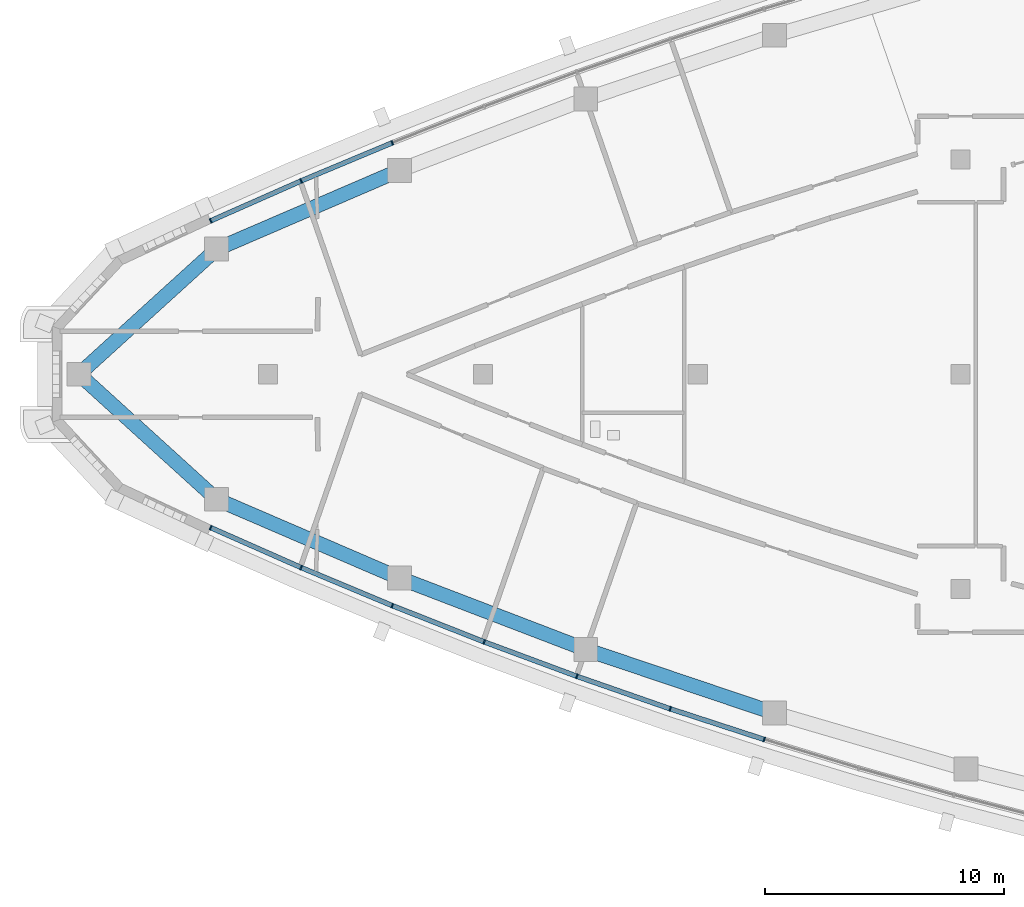
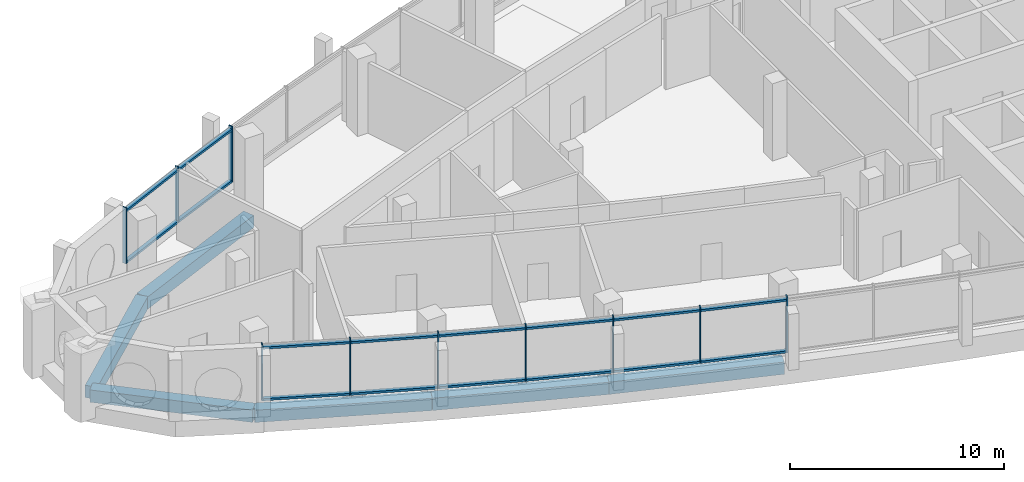
# One storey, part 2 of 15: 26 members, 6 beams, 5 elements without a shape of their own.
"""IFC4 building model written with IfcOpenShell, lengths in metres."""

from ifc_helpers import new_model, si_unit, direction, frame, origin, origin_2d, place, context, subcontext, project, spatial, rectangle, extrude, material, layer, layer_set, material_profile, profile_set, type_object, element, aggregate, save


model = new_model("IFC4")

# Units and contexts
model_context = context("Model", 3, precision=1e-05, world=origin(), true_north=direction((0.0, 1.0)))
body_context = subcontext(model_context, "Body", "Model", "MODEL_VIEW")
ifc_project = project(units=[si_unit("LENGTHUNIT", "METRE"), si_unit("AREAUNIT", "SQUARE_METRE"), si_unit("VOLUMEUNIT", "CUBIC_METRE"), si_unit("PLANEANGLEUNIT", "RADIAN"), si_unit("MASSUNIT", "GRAM", prefix="KILO")], contexts=[model_context])

# Site, building, storey
site_placement = place(None, origin())
site = spatial("IfcSite", under=ifc_project, at=site_placement, CompositionType="ELEMENT")
building_placement = place(site_placement, origin())
building = spatial("IfcBuilding", under=site, at=building_placement, Name="Ostrand Prow Hotel Tower", CompositionType="ELEMENT")
storey_placement = place(building_placement, frame((0.0, 0.0, 318.60009765625)))
storey = spatial("IfcBuildingStorey", under=building, at=storey_placement, Name="C3", CompositionType="ELEMENT", Elevation=318.60009765625)

# Beams
ifc_material_1 = material(Name="Concrete C40/50", Category="concrete")
ifc_material_profile_1 = material_profile(ifc_material_1, rectangle(XDim=0.60009765625, YDim=0.699951171875, at=origin_2d()), Name="RC 600x700")
ifc_profile_set_1 = profile_set([ifc_material_profile_1], Name="Concrete C40/50")
beam_type = type_object("IfcBeamType", Name="Edge beam 600x700 C40/50", PredefinedType="SPANDREL", material=ifc_profile_set_1)
beam_1_placement = place(storey_placement, frame((8.082763671875, 0.0, -0.650146484375), z_axis=(0.740124460758, -0.672469912032, 0.0), x_axis=(0.672469912032, 0.740124460758, 0.0)))
element("IfcBeam", 1, at=beam_1_placement, inside=storey, type_object=beam_type, Name="Edge beam P-S1", PredefinedType="SPANDREL", context=body_context, shape_type="SweptSolid", body=[
    extrude(rectangle(XDim=0.60009765625, YDim=0.699951171875, at=origin_2d()), origin(), (0.0, 0.0, 1.0), 7.787353515625),
])
for number, where, z_axis, x_axis, name in (
    (2, (13.846435546875, -5.23681640625, -0.650146484375), (0.918403788687, -0.39564438695, 0.0), (0.39564438695, 0.918403788687, 0.0), "Edge beam S1-S2"),
    (3, (21.51416015625, -8.5400390625, -0.650146484375), (0.933761753797, -0.357895218111, 0.0), (0.357895218111, 0.933761753797, 0.0), "Edge beam S2-S3"),
    (4, (29.31005859375, -11.528076171875, -0.650146484375), (0.947575089419, -0.319533174981, 0.0), (0.319533174981, 0.947575089419, 0.0), "Edge beam S3-S4"),
    (5, (21.51416015625, 8.5400390625, -0.650146484375), (-0.918403788687, -0.39564438695, 0.0), (0.39564438695, -0.918403788687, 0.0), "Edge beam N5-N6"),
):
    element("IfcBeam", number, at=place(storey_placement, frame(where, z_axis=z_axis, x_axis=x_axis)), inside=storey, type_object=beam_type, Name=name, PredefinedType="SPANDREL", context=body_context, shape_type="SweptSolid", body=[
        extrude(rectangle(XDim=0.60009765625, YDim=0.699951171875, at=origin_2d()), origin(), (0.0, 0.0, 1.0), 8.348876953125),
    ])
beam_2_placement = place(storey_placement, frame((13.846435546875, 5.23681640625, -0.650146484375), z_axis=(-0.740124460758, -0.672469912032, 0.0), x_axis=(0.672469912032, -0.740124460758, 0.0)))
element("IfcBeam", 6, at=beam_2_placement, inside=storey, type_object=beam_type, Name="Edge beam N6-P", PredefinedType="SPANDREL", context=body_context, shape_type="SweptSolid", body=[
    extrude(rectangle(XDim=0.60009765625, YDim=0.699951171875, at=origin_2d()), origin(), (0.0, 0.0, 1.0), 7.787353515625),
])

# Curtain wall, members
ifc_material_2 = material(Name="Insulated glass in bronze anodised frame", Category="glass")
ifc_layer = layer(ifc_material_2, 0.199951171875)
ifc_layer_set = layer_set([ifc_layer], Name="Insulated glass in bronze anodised frame")
curtain_wall_type = type_object("IfcCurtainWallType", Name="Sky lobby full-height curtain wall", PredefinedType="NOTDEFINED", material=ifc_layer_set)
curtain_wall_1_placement = place(storey_placement, origin())
curtain_wall_1 = element("IfcCurtainWall", 7, at=curtain_wall_1_placement, inside=storey, type_object=curtain_wall_type, Name="CW3 run CWS1", PredefinedType="NOTDEFINED")
ifc_material_3 = material(Name="Bronze anodised aluminium", Category="aluminium")
ifc_material_profile_2 = material_profile(ifc_material_3, rectangle(XDim=0.199951171875, YDim=0.06005859375, at=origin_2d()), Name="Mullion 60x200 bronze anodised aluminium")
ifc_profile_set_2 = profile_set([ifc_material_profile_2], Name="Bronze anodised aluminium")
member_type_1 = type_object("IfcMemberType", Name="Mullion 60x200 bronze anodised aluminium", PredefinedType="MULLION", material=ifc_profile_set_2)
member_1_placement = place(storey_placement, frame((13.60009765625, -6.423583984375, 0.89990234375), z_axis=(0.0, 0.0, 1.0), x_axis=(0.403939694592, 0.914785615941, 0.0)))
member_1 = element("IfcMember", 8, at=member_1_placement, type_object=member_type_1, Name="CW3 mullion 1", PredefinedType="MULLION", context=body_context, shape_type="SweptSolid", body=[
    extrude(rectangle(XDim=0.199951171875, YDim=0.06005859375, at=origin_2d()), origin(), (0.0, 0.0, 1.0), 3.199951171875),
])
member_2_placement = place(storey_placement, frame((17.386962890625, -8.095947265625, 0.89990234375), z_axis=(0.0, 0.0, 1.0), x_axis=(0.385471263659, 0.922719840955, 0.0)))
member_2 = element("IfcMember", 9, at=member_2_placement, type_object=member_type_1, Name="CW3 mullion 2", PredefinedType="MULLION", context=body_context, shape_type="SweptSolid", body=[
    extrude(rectangle(XDim=0.199951171875, YDim=0.06005859375, at=origin_2d()), origin(), (0.0, 0.0, 1.0), 3.199951171875),
])
member_3_placement = place(storey_placement, frame((21.206787109375, -9.691650390625, 0.89990234375), z_axis=(0.0, 0.0, 1.0), x_axis=(0.385471263659, 0.922719840955, 0.0)))
member_3 = element("IfcMember", 10, at=member_3_placement, type_object=member_type_1, Name="CW3 mullion 3", PredefinedType="MULLION", context=body_context, shape_type="SweptSolid", body=[
    extrude(rectangle(XDim=0.199951171875, YDim=0.06005859375, at=origin_2d()), origin(), (0.0, 0.0, 1.0), 3.199951171875),
])

curtain_wall_2_placement = place(storey_placement, origin())
curtain_wall_2 = element("IfcCurtainWall", 11, at=curtain_wall_2_placement, inside=storey, type_object=curtain_wall_type, Name="CW3 run CWS2", PredefinedType="NOTDEFINED")
member_4_placement = place(storey_placement, frame((25.05810546875, -11.210205078125, 0.89990234375), z_axis=(0.0, 0.0, 1.0), x_axis=(0.348071422738, 0.937468017947, 0.0)))
member_4 = element("IfcMember", 12, at=member_4_placement, type_object=member_type_1, Name="CW3 mullion 2", PredefinedType="MULLION", context=body_context, shape_type="SweptSolid", body=[
    extrude(rectangle(XDim=0.199951171875, YDim=0.06005859375, at=origin_2d()), origin(), (0.0, 0.0, 1.0), 3.199951171875),
])
member_5_placement = place(storey_placement, frame((28.93896484375, -12.6513671875, 0.89990234375), z_axis=(0.0, 0.0, 1.0), x_axis=(0.348071422738, 0.937468017947, 0.0)))
member_5 = element("IfcMember", 13, at=member_5_placement, type_object=member_type_1, Name="CW3 mullion 3", PredefinedType="MULLION", context=body_context, shape_type="SweptSolid", body=[
    extrude(rectangle(XDim=0.199951171875, YDim=0.06005859375, at=origin_2d()), origin(), (0.0, 0.0, 1.0), 3.199951171875),
])

curtain_wall_3_placement = place(storey_placement, origin())
curtain_wall_3 = element("IfcCurtainWall", 14, at=curtain_wall_3_placement, inside=storey, type_object=curtain_wall_type, Name="CW3 run CWS3", PredefinedType="NOTDEFINED")
member_6_placement = place(storey_placement, frame((32.84814453125, -14.013916015625, 0.89990234375), z_axis=(0.0, 0.0, 1.0), x_axis=(0.310110668289, 0.950700464612, 0.0)))
member_6 = element("IfcMember", 15, at=member_6_placement, type_object=member_type_1, Name="CW3 mullion 2", PredefinedType="MULLION", context=body_context, shape_type="SweptSolid", body=[
    extrude(rectangle(XDim=0.199951171875, YDim=0.06005859375, at=origin_2d()), origin(), (0.0, 0.0, 1.0), 3.199951171875),
])
member_7_placement = place(storey_placement, frame((36.78369140625, -15.297607421875, 0.89990234375), z_axis=(0.0, 0.0, 1.0), x_axis=(0.310110668289, 0.950700464612, 0.0)))
member_7 = element("IfcMember", 16, at=member_7_placement, type_object=member_type_1, Name="CW3 mullion 3", PredefinedType="MULLION", context=body_context, shape_type="SweptSolid", body=[
    extrude(rectangle(XDim=0.199951171875, YDim=0.06005859375, at=origin_2d()), origin(), (0.0, 0.0, 1.0), 3.199951171875),
])

# Curtain wall, member
curtain_wall_4_placement = place(storey_placement, origin())
curtain_wall_4 = element("IfcCurtainWall", 17, at=curtain_wall_4_placement, inside=storey, type_object=curtain_wall_type, Name="CW3 run CWN4", PredefinedType="NOTDEFINED")
member_8_placement = place(storey_placement, frame((21.206787109375, 9.691650390625, 0.89990234375), z_axis=(0.0, 0.0, 1.0), x_axis=(0.366845465248, -0.930281895249, 0.0)))
member_8 = element("IfcMember", 18, at=member_8_placement, type_object=member_type_1, Name="CW3 mullion 3", PredefinedType="MULLION", context=body_context, shape_type="SweptSolid", body=[
    extrude(rectangle(XDim=0.199951171875, YDim=0.06005859375, at=origin_2d()), origin(), (0.0, 0.0, 1.0), 3.199951171875),
])
aggregate(curtain_wall_4, [member_8])

# Curtain wall, members
curtain_wall_5_placement = place(storey_placement, origin())
curtain_wall_5 = element("IfcCurtainWall", 19, at=curtain_wall_5_placement, inside=storey, type_object=curtain_wall_type, Name="CW3 run CWN5", PredefinedType="NOTDEFINED")
member_9_placement = place(storey_placement, frame((17.386962890625, 8.095947265625, 0.89990234375), z_axis=(0.0, 0.0, 1.0), x_axis=(0.403939694592, -0.914785615941, 0.0)))
member_9 = element("IfcMember", 20, at=member_9_placement, type_object=member_type_1, Name="CW3 mullion 2", PredefinedType="MULLION", context=body_context, shape_type="SweptSolid", body=[
    extrude(rectangle(XDim=0.199951171875, YDim=0.06005859375, at=origin_2d()), origin(), (0.0, 0.0, 1.0), 3.199951171875),
])
member_10_placement = place(storey_placement, frame((13.60009765625, 6.423583984375, 0.89990234375), z_axis=(0.0, 0.0, 1.0), x_axis=(0.403939694592, -0.914785615941, 0.0)))
member_10 = element("IfcMember", 21, at=member_10_placement, type_object=member_type_1, Name="CW3 mullion 3", PredefinedType="MULLION", context=body_context, shape_type="SweptSolid", body=[
    extrude(rectangle(XDim=0.199951171875, YDim=0.06005859375, at=origin_2d()), origin(), (0.0, 0.0, 1.0), 3.199951171875),
])

# Member
ifc_material_4 = material(Name="Bronze anodised aluminium", Category="aluminium")
ifc_material_profile_3 = material_profile(ifc_material_4, rectangle(XDim=0.199951171875, YDim=0.1201171875, at=origin_2d()), Name="Transom 120x200 bronze anodised aluminium")
ifc_profile_set_3 = profile_set([ifc_material_profile_3], Name="Bronze anodised aluminium")
member_type_2 = type_object("IfcMemberType", Name="Transom 120x200 bronze anodised aluminium", PredefinedType="USERDEFINED", material=ifc_profile_set_3)
member_11_placement = place(storey_placement, frame((13.62744140625, -6.435791015625, 0.9599609375), z_axis=(0.914791011182, -0.403927475991, 0.0), x_axis=(0.403927475991, 0.914791011182, 0.0)))
member_11 = element("IfcMember", 22, at=member_11_placement, type_object=member_type_2, Name="CW3 transom 1.1", ObjectType="TRANSOM", PredefinedType="USERDEFINED", context=body_context, shape_type="SweptSolid", body=[
    extrude(rectangle(XDim=0.199951171875, YDim=0.1201171875, at=origin_2d()), origin(), (0.0, 0.0, 1.0), 4.079833984375),
])

member_12_placement = place(storey_placement, frame((13.62744140625, -6.435791015625, 3.89990234375), z_axis=(0.914791011182, -0.403927475991, 0.0), x_axis=(0.403927475991, 0.914791011182, 0.0)))
member_12 = element("IfcMember", 23, at=member_12_placement, type_object=member_type_2, Name="CW3 transom 1.2", ObjectType="TRANSOM", PredefinedType="USERDEFINED", context=body_context, shape_type="SweptSolid", body=[
    extrude(rectangle(XDim=0.199951171875, YDim=0.1201171875, at=origin_2d()), origin(), (0.0, 0.0, 1.0), 4.079833984375),
])

member_13_placement = place(storey_placement, frame((17.414794921875, -8.107421875, 0.9599609375), z_axis=(0.922706465875, -0.385503278628, 0.0), x_axis=(0.385503278628, 0.922706465875, 0.0)))
member_13 = element("IfcMember", 24, at=member_13_placement, type_object=member_type_2, Name="CW3 transom 2.1", ObjectType="TRANSOM", PredefinedType="USERDEFINED", context=body_context, shape_type="SweptSolid", body=[
    extrude(rectangle(XDim=0.199951171875, YDim=0.1201171875, at=origin_2d()), origin(), (0.0, 0.0, 1.0), 4.079833984375),
])

member_14_placement = place(storey_placement, frame((17.414794921875, -8.107421875, 3.89990234375), z_axis=(0.922706465875, -0.385503278628, 0.0), x_axis=(0.385503278628, 0.922706465875, 0.0)))
member_14 = element("IfcMember", 25, at=member_14_placement, type_object=member_type_2, Name="CW3 transom 2.2", ObjectType="TRANSOM", PredefinedType="USERDEFINED", context=body_context, shape_type="SweptSolid", body=[
    extrude(rectangle(XDim=0.199951171875, YDim=0.1201171875, at=origin_2d()), origin(), (0.0, 0.0, 1.0), 4.079833984375),
])

aggregate(curtain_wall_1, [member_1, member_2, member_3, member_11, member_12, member_13, member_14])

member_15_placement = place(storey_placement, frame((21.23486328125, -9.70263671875, 0.9599609375), z_axis=(0.930289613186, -0.366825892759, 0.0), x_axis=(0.366825892759, 0.930289613186, 0.0)))
member_15 = element("IfcMember", 26, at=member_15_placement, type_object=member_type_2, Name="CW3 transom 1.1", ObjectType="TRANSOM", PredefinedType="USERDEFINED", context=body_context, shape_type="SweptSolid", body=[
    extrude(rectangle(XDim=0.199951171875, YDim=0.1201171875, at=origin_2d()), origin(), (0.0, 0.0, 1.0), 4.079833984375),
])

member_16_placement = place(storey_placement, frame((21.23486328125, -9.70263671875, 3.89990234375), z_axis=(0.930289613186, -0.366825892759, 0.0), x_axis=(0.366825892759, 0.930289613186, 0.0)))
member_16 = element("IfcMember", 27, at=member_16_placement, type_object=member_type_2, Name="CW3 transom 1.2", ObjectType="TRANSOM", PredefinedType="USERDEFINED", context=body_context, shape_type="SweptSolid", body=[
    extrude(rectangle(XDim=0.199951171875, YDim=0.1201171875, at=origin_2d()), origin(), (0.0, 0.0, 1.0), 4.079833984375),
])

member_17_placement = place(storey_placement, frame((25.086181640625, -11.220703125, 0.9599609375), z_axis=(0.937460424566, -0.348091873465, 0.0), x_axis=(0.348091873465, 0.937460424566, 0.0)))
member_17 = element("IfcMember", 28, at=member_17_placement, type_object=member_type_2, Name="CW3 transom 2.1", ObjectType="TRANSOM", PredefinedType="USERDEFINED", context=body_context, shape_type="SweptSolid", body=[
    extrude(rectangle(XDim=0.199951171875, YDim=0.1201171875, at=origin_2d()), origin(), (0.0, 0.0, 1.0), 4.079833984375),
])

member_18_placement = place(storey_placement, frame((25.086181640625, -11.220703125, 3.89990234375), z_axis=(0.937460424566, -0.348091873465, 0.0), x_axis=(0.348091873465, 0.937460424566, 0.0)))
member_18 = element("IfcMember", 29, at=member_18_placement, type_object=member_type_2, Name="CW3 transom 2.2", ObjectType="TRANSOM", PredefinedType="USERDEFINED", context=body_context, shape_type="SweptSolid", body=[
    extrude(rectangle(XDim=0.199951171875, YDim=0.1201171875, at=origin_2d()), origin(), (0.0, 0.0, 1.0), 4.079833984375),
])

aggregate(curtain_wall_2, [member_4, member_5, member_15, member_16, member_17, member_18])

member_19_placement = place(storey_placement, frame((28.96728515625, -12.6611328125, 0.9599609375), z_axis=(0.944268108385, -0.329177367822, 0.0), x_axis=(0.329177367822, 0.944268108385, 0.0)))
member_19 = element("IfcMember", 30, at=member_19_placement, type_object=member_type_2, Name="CW3 transom 1.1", ObjectType="TRANSOM", PredefinedType="USERDEFINED", context=body_context, shape_type="SweptSolid", body=[
    extrude(rectangle(XDim=0.199951171875, YDim=0.1201171875, at=origin_2d()), origin(), (0.0, 0.0, 1.0), 4.079833984375),
])

member_20_placement = place(storey_placement, frame((28.96728515625, -12.6611328125, 3.89990234375), z_axis=(0.944268108385, -0.329177367822, 0.0), x_axis=(0.329177367822, 0.944268108385, 0.0)))
member_20 = element("IfcMember", 31, at=member_20_placement, type_object=member_type_2, Name="CW3 transom 1.2", ObjectType="TRANSOM", PredefinedType="USERDEFINED", context=body_context, shape_type="SweptSolid", body=[
    extrude(rectangle(XDim=0.199951171875, YDim=0.1201171875, at=origin_2d()), origin(), (0.0, 0.0, 1.0), 4.079833984375),
])

member_21_placement = place(storey_placement, frame((32.876708984375, -14.023193359375, 0.9599609375), z_axis=(0.950704145978, -0.310099382165, 0.0), x_axis=(0.310099382165, 0.950704145978, 0.0)))
member_21 = element("IfcMember", 32, at=member_21_placement, type_object=member_type_2, Name="CW3 transom 2.1", ObjectType="TRANSOM", PredefinedType="USERDEFINED", context=body_context, shape_type="SweptSolid", body=[
    extrude(rectangle(XDim=0.199951171875, YDim=0.1201171875, at=origin_2d()), origin(), (0.0, 0.0, 1.0), 4.079833984375),
])

member_22_placement = place(storey_placement, frame((32.876708984375, -14.023193359375, 3.89990234375), z_axis=(0.950704145978, -0.310099382165, 0.0), x_axis=(0.310099382165, 0.950704145978, 0.0)))
member_22 = element("IfcMember", 33, at=member_22_placement, type_object=member_type_2, Name="CW3 transom 2.2", ObjectType="TRANSOM", PredefinedType="USERDEFINED", context=body_context, shape_type="SweptSolid", body=[
    extrude(rectangle(XDim=0.199951171875, YDim=0.1201171875, at=origin_2d()), origin(), (0.0, 0.0, 1.0), 4.079833984375),
])

aggregate(curtain_wall_3, [member_6, member_7, member_19, member_20, member_21, member_22])

member_23_placement = place(storey_placement, frame((21.17919921875, 9.68017578125, 0.9599609375), z_axis=(-0.922706465875, -0.385503278628, 0.0), x_axis=(0.385503278628, -0.922706465875, 0.0)))
member_23 = element("IfcMember", 34, at=member_23_placement, type_object=member_type_2, Name="CW3 transom 1.1", ObjectType="TRANSOM", PredefinedType="USERDEFINED", context=body_context, shape_type="SweptSolid", body=[
    extrude(rectangle(XDim=0.199951171875, YDim=0.1201171875, at=origin_2d()), origin(), (0.0, 0.0, 1.0), 4.079833984375),
])

member_24_placement = place(storey_placement, frame((21.17919921875, 9.68017578125, 3.89990234375), z_axis=(-0.922706465875, -0.385503278628, 0.0), x_axis=(0.385503278628, -0.922706465875, 0.0)))
member_24 = element("IfcMember", 35, at=member_24_placement, type_object=member_type_2, Name="CW3 transom 1.2", ObjectType="TRANSOM", PredefinedType="USERDEFINED", context=body_context, shape_type="SweptSolid", body=[
    extrude(rectangle(XDim=0.199951171875, YDim=0.1201171875, at=origin_2d()), origin(), (0.0, 0.0, 1.0), 4.079833984375),
])

member_25_placement = place(storey_placement, frame((17.359619140625, 8.083740234375, 0.9599609375), z_axis=(-0.914791011182, -0.403927475991, 0.0), x_axis=(0.403927475991, -0.914791011182, 0.0)))
member_25 = element("IfcMember", 36, at=member_25_placement, type_object=member_type_2, Name="CW3 transom 2.1", ObjectType="TRANSOM", PredefinedType="USERDEFINED", context=body_context, shape_type="SweptSolid", body=[
    extrude(rectangle(XDim=0.199951171875, YDim=0.1201171875, at=origin_2d()), origin(), (0.0, 0.0, 1.0), 4.079833984375),
])

member_26_placement = place(storey_placement, frame((17.359619140625, 8.083740234375, 3.89990234375), z_axis=(-0.914791011182, -0.403927475991, 0.0), x_axis=(0.403927475991, -0.914791011182, 0.0)))
member_26 = element("IfcMember", 37, at=member_26_placement, type_object=member_type_2, Name="CW3 transom 2.2", ObjectType="TRANSOM", PredefinedType="USERDEFINED", context=body_context, shape_type="SweptSolid", body=[
    extrude(rectangle(XDim=0.199951171875, YDim=0.1201171875, at=origin_2d()), origin(), (0.0, 0.0, 1.0), 4.079833984375),
])

aggregate(curtain_wall_5, [member_9, member_10, member_23, member_24, member_25, member_26])

save(model, "model.ifc")
